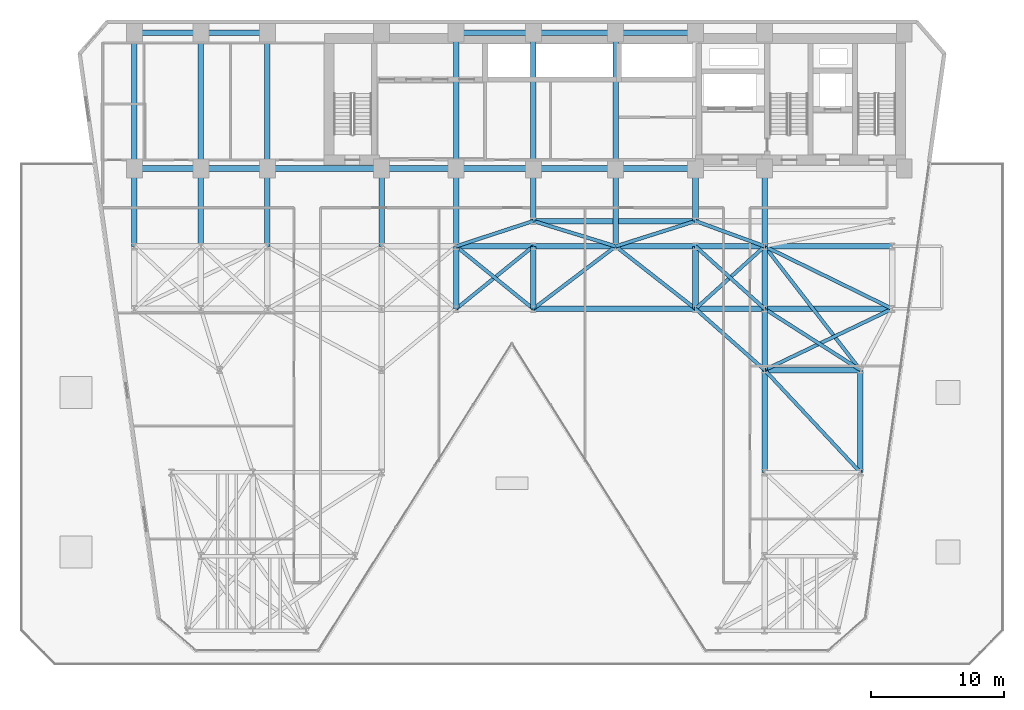
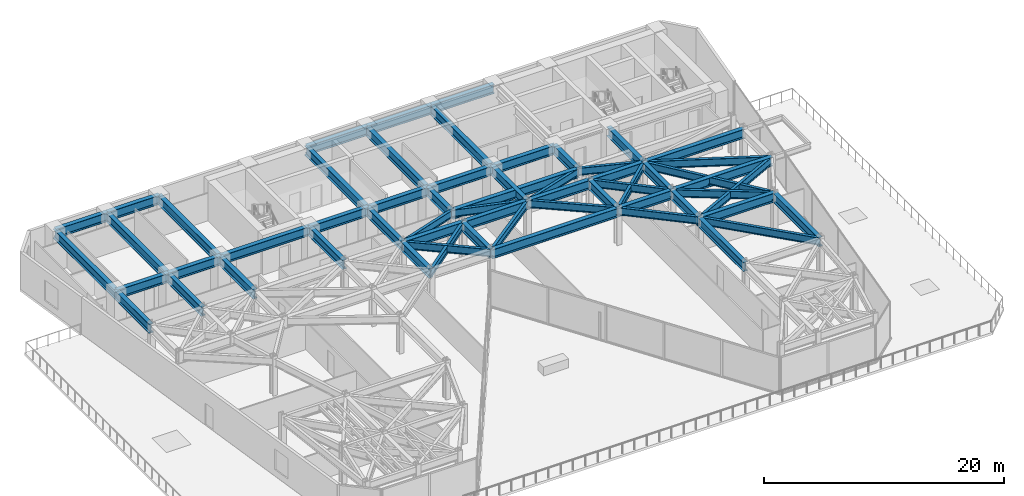
# One storey, part 12 of 25: 60 beams.
"""IFC4 building model written with IfcOpenShell, lengths in metres."""

from ifc_helpers import new_model, si_unit, direction, frame, origin, origin_2d, place, context, subcontext, project, spatial, i_section, extrude, material, material_profile, profile_set, type_object, element, save


model = new_model("IFC4")

# Units and contexts
model_context = context("Model", 3, precision=1e-05, world=origin(), true_north=direction((0.0, 1.0)))
body_context = subcontext(model_context, "Body", "Model", "MODEL_VIEW")
ifc_project = project(units=[si_unit("LENGTHUNIT", "METRE"), si_unit("AREAUNIT", "SQUARE_METRE"), si_unit("VOLUMEUNIT", "CUBIC_METRE"), si_unit("PLANEANGLEUNIT", "RADIAN"), si_unit("MASSUNIT", "GRAM", prefix="KILO")], contexts=[model_context])

# Site, building, storey
site_placement = place(None, origin())
site = spatial("IfcSite", under=ifc_project, at=site_placement, CompositionType="ELEMENT")
building_placement = place(site_placement, origin())
building = spatial("IfcBuilding", under=site, at=building_placement, Name="Kravanh Interchange Tower", CompositionType="ELEMENT")
storey_placement = place(building_placement, frame((0.0, 0.0, 29.5)))
storey = spatial("IfcBuildingStorey", under=building, at=storey_placement, Name="L06", CompositionType="ELEMENT", Elevation=29.5)

# Beams
ifc_material_1 = material(Name="Structural Steel S355", Category="steel")
ifc_material_profile_1 = material_profile(ifc_material_1, i_section(OverallWidth=0.41796875, OverallDepth=0.927001953125, WebThickness=0.019287109375, FlangeThickness=0.031982421875, FilletRadius=0.028076171875, at=origin_2d()), Name="W36X231")
ifc_profile_set_1 = profile_set([ifc_material_profile_1], Name="Structural Steel S355")
beam_type_1 = type_object("IfcBeamType", Name="Floor Beam W36X231 Structural Steel S355", PredefinedType="BEAM", material=ifc_profile_set_1)
beam_1_placement = place(storey_placement, frame((56.0, 37.35009765625, 3.276611328125), z_axis=(0.0, -1.0, 0.0), x_axis=(1.0, 0.0, 0.0)))
element("IfcBeam", 1, at=beam_1_placement, inside=storey, type_object=beam_type_1, Name="L06 Primary Floor Girder 7", PredefinedType="BEAM", context=body_context, shape_type="SweptSolid", body=[
    extrude(i_section(OverallWidth=0.41796875, OverallDepth=0.927001953125, WebThickness=0.019287109375, FlangeThickness=0.031982421875, FilletRadius=0.028076171875, at=origin_2d()), origin(), (0.0, 0.0, 1.0), 5.85009765625),
])
beam_2_placement = place(storey_placement, frame((50.800048828125, 47.550048828125, 3.276611328125), z_axis=(-1.0, 0.0, 0.0), x_axis=(0.0, -1.0, 0.0)))
element("IfcBeam", 2, at=beam_2_placement, inside=storey, type_object=beam_type_1, Name="L06 Primary Floor Girder 8", PredefinedType="BEAM", context=body_context, shape_type="SweptSolid", body=[
    extrude(i_section(OverallWidth=0.41796875, OverallDepth=0.927001953125, WebThickness=0.019287109375, FlangeThickness=0.031982421875, FilletRadius=0.028076171875, at=origin_2d()), origin(), (0.0, 0.0, 1.0), 6.0),
])
beam_3_placement = place(storey_placement, frame((50.800048828125, 37.35009765625, 3.276611328125), z_axis=(0.0, -1.0, 0.0), x_axis=(1.0, 0.0, 0.0)))
element("IfcBeam", 3, at=beam_3_placement, inside=storey, type_object=beam_type_1, Name="L06 Primary Floor Girder 10", PredefinedType="BEAM", context=body_context, shape_type="SweptSolid", body=[
    extrude(i_section(OverallWidth=0.41796875, OverallDepth=0.927001953125, WebThickness=0.019287109375, FlangeThickness=0.031982421875, FilletRadius=0.028076171875, at=origin_2d()), origin(), (0.0, 0.0, 1.0), 3.9501953125),
])
beam_4_placement = place(storey_placement, frame((50.800048828125, 37.35009765625, 3.276611328125), z_axis=(-1.0, 0.0, 0.0), x_axis=(0.0, -1.0, 0.0)))
element("IfcBeam", 4, at=beam_4_placement, inside=storey, type_object=beam_type_1, Name="L06 Primary Floor Girder 11", PredefinedType="BEAM", context=body_context, shape_type="SweptSolid", body=[
    extrude(i_section(OverallWidth=0.41796875, OverallDepth=0.927001953125, WebThickness=0.019287109375, FlangeThickness=0.031982421875, FilletRadius=0.028076171875, at=origin_2d()), origin(), (0.0, 0.0, 1.0), 6.0),
])
beam_5_placement = place(storey_placement, frame((44.800048828125, 37.35009765625, 3.276611328125), z_axis=(0.0, -1.0, 0.0), x_axis=(1.0, 0.0, 0.0)))
element("IfcBeam", 5, at=beam_5_placement, inside=storey, type_object=beam_type_1, Name="L06 Primary Floor Girder 12", PredefinedType="BEAM", context=body_context, shape_type="SweptSolid", body=[
    extrude(i_section(OverallWidth=0.41796875, OverallDepth=0.927001953125, WebThickness=0.019287109375, FlangeThickness=0.031982421875, FilletRadius=0.028076171875, at=origin_2d()), origin(), (0.0, 0.0, 1.0), 5.85009765625),
])
beam_6_placement = place(storey_placement, frame((44.800048828125, 37.35009765625, 3.276611328125), z_axis=(-1.0, 0.0, 0.0), x_axis=(0.0, -1.0, 0.0)))
element("IfcBeam", 6, at=beam_6_placement, inside=storey, type_object=beam_type_1, Name="L06 Primary Floor Girder 13", PredefinedType="BEAM", context=body_context, shape_type="SweptSolid", body=[
    extrude(i_section(OverallWidth=0.41796875, OverallDepth=0.927001953125, WebThickness=0.019287109375, FlangeThickness=0.031982421875, FilletRadius=0.028076171875, at=origin_2d()), origin(), (0.0, 0.0, 1.0), 6.199951171875),
])
beam_7_placement = place(storey_placement, frame((44.800048828125, 37.35009765625, 3.276611328125), z_axis=(0.0, 1.0, 0.0), x_axis=(-1.0, 0.0, 0.0)))
element("IfcBeam", 7, at=beam_7_placement, inside=storey, type_object=beam_type_1, Name="L06 Primary Floor Girder 14", PredefinedType="BEAM", context=body_context, shape_type="SweptSolid", body=[
    extrude(i_section(OverallWidth=0.41796875, OverallDepth=0.927001953125, WebThickness=0.019287109375, FlangeThickness=0.031982421875, FilletRadius=0.028076171875, at=origin_2d()), origin(), (0.0, 0.0, 1.0), 10.199951171875),
])
beam_8_placement = place(storey_placement, frame((44.800048828125, 47.550048828125, 3.276611328125), z_axis=(-1.0, 0.0, 0.0), x_axis=(0.0, -1.0, 0.0)))
element("IfcBeam", 8, at=beam_8_placement, inside=storey, type_object=beam_type_1, Name="L06 Primary Floor Girder 15", PredefinedType="BEAM", context=body_context, shape_type="SweptSolid", body=[
    extrude(i_section(OverallWidth=0.41796875, OverallDepth=0.927001953125, WebThickness=0.019287109375, FlangeThickness=0.031982421875, FilletRadius=0.028076171875, at=origin_2d()), origin(), (0.0, 0.0, 1.0), 6.199951171875),
])
beam_9_placement = place(storey_placement, frame((38.60009765625, 37.35009765625, 3.276611328125), z_axis=(0.0, -1.0, 0.0), x_axis=(1.0, 0.0, 0.0)))
element("IfcBeam", 9, at=beam_9_placement, inside=storey, type_object=beam_type_1, Name="L06 Primary Floor Girder 16", PredefinedType="BEAM", context=body_context, shape_type="SweptSolid", body=[
    extrude(i_section(OverallWidth=0.41796875, OverallDepth=0.927001953125, WebThickness=0.019287109375, FlangeThickness=0.031982421875, FilletRadius=0.028076171875, at=origin_2d()), origin(), (0.0, 0.0, 1.0), 3.9501953125),
])
beam_10_placement = place(storey_placement, frame((38.60009765625, 37.35009765625, 3.276611328125), z_axis=(-1.0, 0.0, 0.0), x_axis=(0.0, -1.0, 0.0)))
element("IfcBeam", 10, at=beam_10_placement, inside=storey, type_object=beam_type_1, Name="L06 Primary Floor Girder 17", PredefinedType="BEAM", context=body_context, shape_type="SweptSolid", body=[
    extrude(i_section(OverallWidth=0.41796875, OverallDepth=0.927001953125, WebThickness=0.019287109375, FlangeThickness=0.031982421875, FilletRadius=0.028076171875, at=origin_2d()), origin(), (0.0, 0.0, 1.0), 5.800048828125),
])
beam_11_placement = place(storey_placement, frame((38.60009765625, 37.35009765625, 3.276611328125), z_axis=(0.0, 1.0, 0.0), x_axis=(-1.0, 0.0, 0.0)))
element("IfcBeam", 11, at=beam_11_placement, inside=storey, type_object=beam_type_1, Name="L06 Primary Floor Girder 18", PredefinedType="BEAM", context=body_context, shape_type="SweptSolid", body=[
    extrude(i_section(OverallWidth=0.41796875, OverallDepth=0.927001953125, WebThickness=0.019287109375, FlangeThickness=0.031982421875, FilletRadius=0.028076171875, at=origin_2d()), origin(), (0.0, 0.0, 1.0), 10.199951171875),
])
beam_12_placement = place(storey_placement, frame((38.60009765625, 47.550048828125, 3.276611328125), z_axis=(-1.0, 0.0, 0.0), x_axis=(0.0, -1.0, 0.0)))
element("IfcBeam", 12, at=beam_12_placement, inside=storey, type_object=beam_type_1, Name="L06 Primary Floor Girder 19", PredefinedType="BEAM", context=body_context, shape_type="SweptSolid", body=[
    extrude(i_section(OverallWidth=0.41796875, OverallDepth=0.927001953125, WebThickness=0.019287109375, FlangeThickness=0.031982421875, FilletRadius=0.028076171875, at=origin_2d()), origin(), (0.0, 0.0, 1.0), 5.800048828125),
])
beam_13_placement = place(storey_placement, frame((32.800048828125, 37.35009765625, 3.276611328125), z_axis=(-1.0, 0.0, 0.0), x_axis=(0.0, -1.0, 0.0)))
element("IfcBeam", 13, at=beam_13_placement, inside=storey, type_object=beam_type_1, Name="L06 Primary Floor Girder 20", PredefinedType="BEAM", context=body_context, shape_type="SweptSolid", body=[
    extrude(i_section(OverallWidth=0.41796875, OverallDepth=0.927001953125, WebThickness=0.019287109375, FlangeThickness=0.031982421875, FilletRadius=0.028076171875, at=origin_2d()), origin(), (0.0, 0.0, 1.0), 5.60009765625),
])
beam_14_placement = place(storey_placement, frame((32.800048828125, 37.35009765625, 3.276611328125), z_axis=(0.0, -1.0, 0.0), x_axis=(1.0, 0.0, 0.0)))
element("IfcBeam", 14, at=beam_14_placement, inside=storey, type_object=beam_type_1, Name="L06 Primary Floor Girder 21", PredefinedType="BEAM", context=body_context, shape_type="SweptSolid", body=[
    extrude(i_section(OverallWidth=0.41796875, OverallDepth=0.927001953125, WebThickness=0.019287109375, FlangeThickness=0.031982421875, FilletRadius=0.028076171875, at=origin_2d()), origin(), (0.0, 0.0, 1.0), 5.85009765625),
])
beam_15_placement = place(storey_placement, frame((32.800048828125, 37.35009765625, 3.276611328125), z_axis=(0.0, 1.0, 0.0), x_axis=(-1.0, 0.0, 0.0)))
element("IfcBeam", 15, at=beam_15_placement, inside=storey, type_object=beam_type_1, Name="L06 Primary Floor Girder 22", PredefinedType="BEAM", context=body_context, shape_type="SweptSolid", body=[
    extrude(i_section(OverallWidth=0.41796875, OverallDepth=0.927001953125, WebThickness=0.019287109375, FlangeThickness=0.031982421875, FilletRadius=0.028076171875, at=origin_2d()), origin(), (0.0, 0.0, 1.0), 10.199951171875),
])
beam_16_placement = place(storey_placement, frame((27.199951171875, 37.35009765625, 3.276611328125), z_axis=(0.0, -1.0, 0.0), x_axis=(1.0, 0.0, 0.0)))
element("IfcBeam", 16, at=beam_16_placement, inside=storey, type_object=beam_type_1, Name="L06 Primary Floor Girder 24", PredefinedType="BEAM", context=body_context, shape_type="SweptSolid", body=[
    extrude(i_section(OverallWidth=0.41796875, OverallDepth=0.927001953125, WebThickness=0.019287109375, FlangeThickness=0.031982421875, FilletRadius=0.028076171875, at=origin_2d()), origin(), (0.0, 0.0, 1.0), 5.85009765625),
])
beam_17_placement = place(storey_placement, frame((27.199951171875, 37.35009765625, 3.276611328125), z_axis=(-1.0, 0.0, 0.0), x_axis=(0.0, -1.0, 0.0)))
element("IfcBeam", 17, at=beam_17_placement, inside=storey, type_object=beam_type_1, Name="L06 Primary Floor Girder 25", PredefinedType="BEAM", context=body_context, shape_type="SweptSolid", body=[
    extrude(i_section(OverallWidth=0.41796875, OverallDepth=0.927001953125, WebThickness=0.019287109375, FlangeThickness=0.031982421875, FilletRadius=0.028076171875, at=origin_2d()), origin(), (0.0, 0.0, 1.0), 8.599853515625),
])
beam_18_placement = place(storey_placement, frame((18.60009765625, 37.35009765625, 3.276611328125), z_axis=(-1.0, 0.0, 0.0), x_axis=(0.0, -1.0, 0.0)))
element("IfcBeam", 18, at=beam_18_placement, inside=storey, type_object=beam_type_1, Name="L06 Primary Floor Girder 28", PredefinedType="BEAM", context=body_context, shape_type="SweptSolid", body=[
    extrude(i_section(OverallWidth=0.41796875, OverallDepth=0.927001953125, WebThickness=0.019287109375, FlangeThickness=0.031982421875, FilletRadius=0.028076171875, at=origin_2d()), origin(), (0.0, 0.0, 1.0), 5.0),
])
beam_19_placement = place(storey_placement, frame((18.60009765625, 37.35009765625, 3.276611328125), z_axis=(0.0, -1.0, 0.0), x_axis=(1.0, 0.0, 0.0)))
element("IfcBeam", 19, at=beam_19_placement, inside=storey, type_object=beam_type_1, Name="L06 Primary Floor Girder 29", PredefinedType="BEAM", context=body_context, shape_type="SweptSolid", body=[
    extrude(i_section(OverallWidth=0.41796875, OverallDepth=0.927001953125, WebThickness=0.019287109375, FlangeThickness=0.031982421875, FilletRadius=0.028076171875, at=origin_2d()), origin(), (0.0, 0.0, 1.0), 5.85009765625),
])
beam_20_placement = place(storey_placement, frame((18.60009765625, 37.35009765625, 3.276611328125), z_axis=(0.0, 1.0, 0.0), x_axis=(-1.0, 0.0, 0.0)))
element("IfcBeam", 20, at=beam_20_placement, inside=storey, type_object=beam_type_1, Name="L06 Primary Floor Girder 30", PredefinedType="BEAM", context=body_context, shape_type="SweptSolid", body=[
    extrude(i_section(OverallWidth=0.41796875, OverallDepth=0.927001953125, WebThickness=0.019287109375, FlangeThickness=0.031982421875, FilletRadius=0.028076171875, at=origin_2d()), origin(), (0.0, 0.0, 1.0), 10.199951171875),
])
for number, where, z_axis, x_axis, name in (
    (21, (18.60009765625, 47.550048828125, 3.276611328125), (-1.0, 0.0, 0.0), (0.0, -1.0, 0.0), "L06 Primary Floor Girder 31"),
    (22, (13.60009765625, 37.35009765625, 3.276611328125), (-1.0, 0.0, 0.0), (0.0, -1.0, 0.0), "L06 Primary Floor Girder 32"),
):
    element("IfcBeam", number, at=place(storey_placement, frame(where, z_axis=z_axis, x_axis=x_axis)), inside=storey, type_object=beam_type_1, Name=name, PredefinedType="BEAM", context=body_context, shape_type="SweptSolid", body=[
        extrude(i_section(OverallWidth=0.41796875, OverallDepth=0.927001953125, WebThickness=0.019287109375, FlangeThickness=0.031982421875, FilletRadius=0.028076171875, at=origin_2d()), origin(), (0.0, 0.0, 1.0), 5.0),
    ])
beam_21_placement = place(storey_placement, frame((13.60009765625, 37.35009765625, 3.276611328125), z_axis=(0.0, -1.0, 0.0), x_axis=(1.0, 0.0, 0.0)))
element("IfcBeam", 23, at=beam_21_placement, inside=storey, type_object=beam_type_1, Name="L06 Primary Floor Girder 33", PredefinedType="BEAM", context=body_context, shape_type="SweptSolid", body=[
    extrude(i_section(OverallWidth=0.41796875, OverallDepth=0.927001953125, WebThickness=0.019287109375, FlangeThickness=0.031982421875, FilletRadius=0.028076171875, at=origin_2d()), origin(), (0.0, 0.0, 1.0), 5.85009765625),
])
beam_22_placement = place(storey_placement, frame((13.60009765625, 37.35009765625, 3.276611328125), z_axis=(0.0, 1.0, 0.0), x_axis=(-1.0, 0.0, 0.0)))
element("IfcBeam", 24, at=beam_22_placement, inside=storey, type_object=beam_type_1, Name="L06 Primary Floor Girder 34", PredefinedType="BEAM", context=body_context, shape_type="SweptSolid", body=[
    extrude(i_section(OverallWidth=0.41796875, OverallDepth=0.927001953125, WebThickness=0.019287109375, FlangeThickness=0.031982421875, FilletRadius=0.028076171875, at=origin_2d()), origin(), (0.0, 0.0, 1.0), 10.199951171875),
])
beam_23_placement = place(storey_placement, frame((13.60009765625, 47.550048828125, 3.276611328125), z_axis=(-1.0, 0.0, 0.0), x_axis=(0.0, -1.0, 0.0)))
element("IfcBeam", 25, at=beam_23_placement, inside=storey, type_object=beam_type_1, Name="L06 Primary Floor Girder 35", PredefinedType="BEAM", context=body_context, shape_type="SweptSolid", body=[
    extrude(i_section(OverallWidth=0.41796875, OverallDepth=0.927001953125, WebThickness=0.019287109375, FlangeThickness=0.031982421875, FilletRadius=0.028076171875, at=origin_2d()), origin(), (0.0, 0.0, 1.0), 5.0),
])
beam_24_placement = place(storey_placement, frame((8.60009765625, 37.35009765625, 3.276611328125), z_axis=(0.0, -1.0, 0.0), x_axis=(1.0, 0.0, 0.0)))
element("IfcBeam", 26, at=beam_24_placement, inside=storey, type_object=beam_type_1, Name="L06 Primary Floor Girder 36", PredefinedType="BEAM", context=body_context, shape_type="SweptSolid", body=[
    extrude(i_section(OverallWidth=0.41796875, OverallDepth=0.927001953125, WebThickness=0.019287109375, FlangeThickness=0.031982421875, FilletRadius=0.028076171875, at=origin_2d()), origin(), (0.0, 0.0, 1.0), 5.85009765625),
])
beam_25_placement = place(storey_placement, frame((8.60009765625, 37.35009765625, 3.276611328125), z_axis=(0.0, 1.0, 0.0), x_axis=(-1.0, 0.0, 0.0)))
element("IfcBeam", 27, at=beam_25_placement, inside=storey, type_object=beam_type_1, Name="L06 Primary Floor Girder 37", PredefinedType="BEAM", context=body_context, shape_type="SweptSolid", body=[
    extrude(i_section(OverallWidth=0.41796875, OverallDepth=0.927001953125, WebThickness=0.019287109375, FlangeThickness=0.031982421875, FilletRadius=0.028076171875, at=origin_2d()), origin(), (0.0, 0.0, 1.0), 10.199951171875),
])
for number, where, z_axis, x_axis, name in (
    (28, (56.0, 14.5, 3.276611328125), (0.0, 1.0, 0.0), (-1.0, 0.0, 0.0), "L06 Primary Floor Girder 44"),
    (29, (63.199951171875, 14.5, 3.276611328125), (0.0, 1.0, 0.0), (-1.0, 0.0, 0.0), "L06 Primary Floor Girder 47"),
):
    element("IfcBeam", number, at=place(storey_placement, frame(where, z_axis=z_axis, x_axis=x_axis)), inside=storey, type_object=beam_type_1, Name=name, PredefinedType="BEAM", context=body_context, shape_type="SweptSolid", body=[
        extrude(i_section(OverallWidth=0.41796875, OverallDepth=0.927001953125, WebThickness=0.019287109375, FlangeThickness=0.031982421875, FilletRadius=0.028076171875, at=origin_2d()), origin(), (0.0, 0.0, 1.0), 7.699951171875),
    ])
beam_26_placement = place(storey_placement, frame((56.0, 22.199951171875, 3.276611328125), z_axis=(0.0, 1.0, 0.0), x_axis=(-1.0, 0.0, 0.0)))
element("IfcBeam", 30, at=beam_26_placement, inside=storey, type_object=beam_type_1, Name="L06 Primary Floor Girder 58", PredefinedType="BEAM", context=body_context, shape_type="SweptSolid", body=[
    extrude(i_section(OverallWidth=0.41796875, OverallDepth=0.927001953125, WebThickness=0.019287109375, FlangeThickness=0.031982421875, FilletRadius=0.028076171875, at=origin_2d()), origin(), (0.0, 0.0, 1.0), 4.60009765625),
])
beam_27_placement = place(storey_placement, frame((56.0, 22.199951171875, 3.276611328125), z_axis=(1.0, 0.0, 0.0), x_axis=(0.0, 1.0, 0.0)))
element("IfcBeam", 31, at=beam_27_placement, inside=storey, type_object=beam_type_1, Name="L06 Primary Floor Girder 60", PredefinedType="BEAM", context=body_context, shape_type="SweptSolid", body=[
    extrude(i_section(OverallWidth=0.41796875, OverallDepth=0.927001953125, WebThickness=0.019287109375, FlangeThickness=0.031982421875, FilletRadius=0.028076171875, at=origin_2d()), origin(), (0.0, 0.0, 1.0), 7.199951171875),
])
for number, where, z_axis, x_axis, name in (
    (32, (32.800048828125, 26.800048828125, 3.276611328125), (0.0, 1.0, 0.0), (-1.0, 0.0, 0.0), "L06 Primary Floor Girder 82"),
    (33, (38.60009765625, 26.800048828125, 3.276611328125), (0.0, 1.0, 0.0), (-1.0, 0.0, 0.0), "L06 Primary Floor Girder 86"),
):
    element("IfcBeam", number, at=place(storey_placement, frame(where, z_axis=z_axis, x_axis=x_axis)), inside=storey, type_object=beam_type_1, Name=name, PredefinedType="BEAM", context=body_context, shape_type="SweptSolid", body=[
        extrude(i_section(OverallWidth=0.41796875, OverallDepth=0.927001953125, WebThickness=0.019287109375, FlangeThickness=0.031982421875, FilletRadius=0.028076171875, at=origin_2d()), origin(), (0.0, 0.0, 1.0), 4.699951171875),
    ])
beam_28_placement = place(storey_placement, frame((38.60009765625, 26.800048828125, 3.276611328125), z_axis=(1.0, 0.0, 0.0), x_axis=(0.0, 1.0, 0.0)))
element("IfcBeam", 34, at=beam_28_placement, inside=storey, type_object=beam_type_1, Name="L06 Primary Floor Girder 89", PredefinedType="BEAM", context=body_context, shape_type="SweptSolid", body=[
    extrude(i_section(OverallWidth=0.41796875, OverallDepth=0.927001953125, WebThickness=0.019287109375, FlangeThickness=0.031982421875, FilletRadius=0.028076171875, at=origin_2d()), origin(), (0.0, 0.0, 1.0), 12.199951171875),
])
beam_29_placement = place(storey_placement, frame((50.800048828125, 26.800048828125, 3.276611328125), z_axis=(0.0, 1.0, 0.0), x_axis=(-1.0, 0.0, 0.0)))
element("IfcBeam", 35, at=beam_29_placement, inside=storey, type_object=beam_type_1, Name="L06 Primary Floor Girder 90", PredefinedType="BEAM", context=body_context, shape_type="SweptSolid", body=[
    extrude(i_section(OverallWidth=0.41796875, OverallDepth=0.927001953125, WebThickness=0.019287109375, FlangeThickness=0.031982421875, FilletRadius=0.028076171875, at=origin_2d()), origin(), (0.0, 0.0, 1.0), 4.699951171875),
])
beam_30_placement = place(storey_placement, frame((50.800048828125, 26.800048828125, 3.276611328125), z_axis=(1.0, 0.0, 0.0), x_axis=(0.0, 1.0, 0.0)))
element("IfcBeam", 36, at=beam_30_placement, inside=storey, type_object=beam_type_1, Name="L06 Primary Floor Girder 91", PredefinedType="BEAM", context=body_context, shape_type="SweptSolid", body=[
    extrude(i_section(OverallWidth=0.41796875, OverallDepth=0.927001953125, WebThickness=0.019287109375, FlangeThickness=0.031982421875, FilletRadius=0.028076171875, at=origin_2d()), origin(), (0.0, 0.0, 1.0), 5.199951171875),
])
beam_31_placement = place(storey_placement, frame((56.0, 26.800048828125, 3.276611328125), z_axis=(0.0, 1.0, 0.0), x_axis=(-1.0, 0.0, 0.0)))
element("IfcBeam", 37, at=beam_31_placement, inside=storey, type_object=beam_type_1, Name="L06 Primary Floor Girder 94", PredefinedType="BEAM", context=body_context, shape_type="SweptSolid", body=[
    extrude(i_section(OverallWidth=0.41796875, OverallDepth=0.927001953125, WebThickness=0.019287109375, FlangeThickness=0.031982421875, FilletRadius=0.028076171875, at=origin_2d()), origin(), (0.0, 0.0, 1.0), 4.699951171875),
])
beam_32_placement = place(storey_placement, frame((56.0, 26.800048828125, 3.276611328125), z_axis=(1.0, 0.0, 0.0), x_axis=(0.0, 1.0, 0.0)))
element("IfcBeam", 38, at=beam_32_placement, inside=storey, type_object=beam_type_1, Name="L06 Primary Floor Girder 97", PredefinedType="BEAM", context=body_context, shape_type="SweptSolid", body=[
    extrude(i_section(OverallWidth=0.41796875, OverallDepth=0.927001953125, WebThickness=0.019287109375, FlangeThickness=0.031982421875, FilletRadius=0.028076171875, at=origin_2d()), origin(), (0.0, 0.0, 1.0), 9.60009765625),
])
beam_33_placement = place(storey_placement, frame((32.800048828125, 31.5, 3.276611328125), z_axis=(1.0, 0.0, 0.0), x_axis=(0.0, 1.0, 0.0)))
element("IfcBeam", 39, at=beam_33_placement, inside=storey, type_object=beam_type_1, Name="L06 Primary Floor Girder 109", PredefinedType="BEAM", context=body_context, shape_type="SweptSolid", body=[
    extrude(i_section(OverallWidth=0.41796875, OverallDepth=0.927001953125, WebThickness=0.019287109375, FlangeThickness=0.031982421875, FilletRadius=0.028076171875, at=origin_2d()), origin(), (0.0, 0.0, 1.0), 5.800048828125),
])
beam_34_placement = place(storey_placement, frame((38.60009765625, 31.5, 3.276611328125), z_axis=(1.0, 0.0, 0.0), x_axis=(0.0, 1.0, 0.0)))
element("IfcBeam", 40, at=beam_34_placement, inside=storey, type_object=beam_type_1, Name="L06 Primary Floor Girder 111", PredefinedType="BEAM", context=body_context, shape_type="SweptSolid", body=[
    extrude(i_section(OverallWidth=0.41796875, OverallDepth=0.927001953125, WebThickness=0.019287109375, FlangeThickness=0.031982421875, FilletRadius=0.028076171875, at=origin_2d()), origin(), (0.0, 0.0, 1.0), 6.199951171875),
])
beam_35_placement = place(storey_placement, frame((44.800048828125, 31.5, 3.276611328125), z_axis=(1.0, 0.0, 0.0), x_axis=(0.0, 1.0, 0.0)))
element("IfcBeam", 41, at=beam_35_placement, inside=storey, type_object=beam_type_1, Name="L06 Primary Floor Girder 113", PredefinedType="BEAM", context=body_context, shape_type="SweptSolid", body=[
    extrude(i_section(OverallWidth=0.41796875, OverallDepth=0.927001953125, WebThickness=0.019287109375, FlangeThickness=0.031982421875, FilletRadius=0.028076171875, at=origin_2d()), origin(), (0.0, 0.0, 1.0), 6.0),
])
beam_36_placement = place(storey_placement, frame((50.800048828125, 31.5, 3.276611328125), z_axis=(1.0, 0.0, 0.0), x_axis=(0.0, 1.0, 0.0)))
element("IfcBeam", 42, at=beam_36_placement, inside=storey, type_object=beam_type_1, Name="L06 Primary Floor Girder 116", PredefinedType="BEAM", context=body_context, shape_type="SweptSolid", body=[
    extrude(i_section(OverallWidth=0.41796875, OverallDepth=0.927001953125, WebThickness=0.019287109375, FlangeThickness=0.031982421875, FilletRadius=0.028076171875, at=origin_2d()), origin(), (0.0, 0.0, 1.0), 5.199951171875),
])
beam_37_placement = place(storey_placement, frame((56.0, 31.5, 3.276611328125), z_axis=(1.0, 0.0, 0.0), x_axis=(0.0, 1.0, 0.0)))
element("IfcBeam", 43, at=beam_37_placement, inside=storey, type_object=beam_type_1, Name="L06 Primary Floor Girder 119", PredefinedType="BEAM", context=body_context, shape_type="SweptSolid", body=[
    extrude(i_section(OverallWidth=0.41796875, OverallDepth=0.927001953125, WebThickness=0.019287109375, FlangeThickness=0.031982421875, FilletRadius=0.028076171875, at=origin_2d()), origin(), (0.0, 0.0, 1.0), 9.60009765625),
])
beam_38_placement = place(storey_placement, frame((38.60009765625, 33.39990234375, 3.276611328125), z_axis=(1.0, 0.0, 0.0), x_axis=(0.0, 1.0, 0.0)))
element("IfcBeam", 44, at=beam_38_placement, inside=storey, type_object=beam_type_1, Name="L06 Primary Floor Girder 145", PredefinedType="BEAM", context=body_context, shape_type="SweptSolid", body=[
    extrude(i_section(OverallWidth=0.41796875, OverallDepth=0.927001953125, WebThickness=0.019287109375, FlangeThickness=0.031982421875, FilletRadius=0.028076171875, at=origin_2d()), origin(), (0.0, 0.0, 1.0), 12.199951171875),
])
ifc_material_2 = material(Name="Structural Steel S355", Category="steel")
ifc_material_profile_2 = material_profile(ifc_material_2, i_section(OverallWidth=0.26708984375, OverallDepth=0.761962890625, WebThickness=0.014404296875, FlangeThickness=0.021484375, FilletRadius=0.02490234375, at=origin_2d()), Name="W30X116")
ifc_profile_set_2 = profile_set([ifc_material_profile_2], Name="Structural Steel S355")
beam_type_2 = type_object("IfcBeamType", Name="Floor Spandrel W30X116 Structural Steel S355", PredefinedType="SPANDREL", material=ifc_profile_set_2)
beam_39_placement = place(storey_placement, frame((63.199951171875, 14.5, 3.35888671875), z_axis=(-0.682993762113, 0.73042420614, 0.0), x_axis=(-0.73042420614, -0.682993762113, 0.0)))
element("IfcBeam", 45, at=beam_39_placement, inside=storey, type_object=beam_type_2, Name="L06 Perimeter Spandrel 49", PredefinedType="SPANDREL", context=body_context, shape_type="SweptSolid", body=[
    extrude(i_section(OverallWidth=0.26708984375, OverallDepth=0.761962890625, WebThickness=0.014404296875, FlangeThickness=0.021484375, FilletRadius=0.02490234375, at=origin_2d()), origin(), (0.0, 0.0, 1.0), 10.541748046875),
])
beam_40_placement = place(storey_placement, frame((56.0, 22.199951171875, 3.35888671875), z_axis=(-0.74898649432, 0.662585263439, 0.0), x_axis=(-0.662585263439, -0.74898649432, 0.0)))
element("IfcBeam", 46, at=beam_40_placement, inside=storey, type_object=beam_type_2, Name="L06 Perimeter Spandrel 59", PredefinedType="SPANDREL", context=body_context, shape_type="SweptSolid", body=[
    extrude(i_section(OverallWidth=0.26708984375, OverallDepth=0.761962890625, WebThickness=0.014404296875, FlangeThickness=0.021484375, FilletRadius=0.02490234375, at=origin_2d()), origin(), (0.0, 0.0, 1.0), 6.942626953125),
])
beam_41_placement = place(storey_placement, frame((56.0, 22.199951171875, 3.35888671875), z_axis=(0.901814166789, 0.432124066188, 0.0), x_axis=(-0.432124066188, 0.901814166789, 0.0)))
element("IfcBeam", 47, at=beam_41_placement, inside=storey, type_object=beam_type_2, Name="L06 Perimeter Spandrel 61", PredefinedType="SPANDREL", context=body_context, shape_type="SweptSolid", body=[
    extrude(i_section(OverallWidth=0.26708984375, OverallDepth=0.761962890625, WebThickness=0.014404296875, FlangeThickness=0.021484375, FilletRadius=0.02490234375, at=origin_2d()), origin(), (0.0, 0.0, 1.0), 10.645263671875),
])
beam_42_placement = place(storey_placement, frame((63.199951171875, 22.199951171875, 3.35888671875), z_axis=(-0.842689417531, 0.53839998661, 0.0), x_axis=(-0.53839998661, -0.842689417531, 0.0)))
element("IfcBeam", 48, at=beam_42_placement, inside=storey, type_object=beam_type_2, Name="L06 Perimeter Spandrel 63", PredefinedType="SPANDREL", context=body_context, shape_type="SweptSolid", body=[
    extrude(i_section(OverallWidth=0.26708984375, OverallDepth=0.761962890625, WebThickness=0.014404296875, FlangeThickness=0.021484375, FilletRadius=0.02490234375, at=origin_2d()), origin(), (0.0, 0.0, 1.0), 8.5439453125),
])
beam_43_placement = place(storey_placement, frame((63.199951171875, 22.199951171875, 3.35888671875), z_axis=(-0.612168587637, 0.790727273028, 0.0), x_axis=(-0.790727273028, -0.612168587637, 0.0)))
element("IfcBeam", 49, at=beam_43_placement, inside=storey, type_object=beam_type_2, Name="L06 Perimeter Spandrel 65", PredefinedType="SPANDREL", context=body_context, shape_type="SweptSolid", body=[
    extrude(i_section(OverallWidth=0.26708984375, OverallDepth=0.761962890625, WebThickness=0.014404296875, FlangeThickness=0.021484375, FilletRadius=0.02490234375, at=origin_2d()), origin(), (0.0, 0.0, 1.0), 11.761474609375),
])
for number, where, z_axis, x_axis, name in (
    (50, (32.800048828125, 26.800048828125, 3.35888671875), (0.776938619557, 0.629576350764, 0.0), (-0.629576350764, 0.776938619557, 0.0), "L06 Perimeter Spandrel 85"),
    (51, (38.60009765625, 26.800048828125, 3.35888671875), (-0.776938619557, 0.629576350764, 0.0), (-0.629576350764, -0.776938619557, 0.0), "L06 Perimeter Spandrel 87"),
):
    element("IfcBeam", number, at=place(storey_placement, frame(where, z_axis=z_axis, x_axis=x_axis)), inside=storey, type_object=beam_type_2, Name=name, PredefinedType="SPANDREL", context=body_context, shape_type="SweptSolid", body=[
        extrude(i_section(OverallWidth=0.26708984375, OverallDepth=0.761962890625, WebThickness=0.014404296875, FlangeThickness=0.021484375, FilletRadius=0.02490234375, at=origin_2d()), origin(), (0.0, 0.0, 1.0), 7.46533203125),
    ])
beam_44_placement = place(storey_placement, frame((38.60009765625, 26.800048828125, 3.35888671875), z_axis=(0.796905365509, 0.604104161898, 0.0), x_axis=(-0.604104161898, 0.796905365509, 0.0)))
element("IfcBeam", 52, at=beam_44_placement, inside=storey, type_object=beam_type_2, Name="L06 Perimeter Spandrel 88", PredefinedType="SPANDREL", context=body_context, shape_type="SweptSolid", body=[
    extrude(i_section(OverallWidth=0.26708984375, OverallDepth=0.761962890625, WebThickness=0.014404296875, FlangeThickness=0.021484375, FilletRadius=0.02490234375, at=origin_2d()), origin(), (0.0, 0.0, 1.0), 7.780029296875),
])
beam_45_placement = place(storey_placement, frame((50.800048828125, 26.800048828125, 3.35888671875), z_axis=(0.741874009795, 0.670539300557, 0.0), x_axis=(-0.670539300557, 0.741874009795, 0.0)))
element("IfcBeam", 53, at=beam_45_placement, inside=storey, type_object=beam_type_2, Name="L06 Perimeter Spandrel 92", PredefinedType="SPANDREL", context=body_context, shape_type="SweptSolid", body=[
    extrude(i_section(OverallWidth=0.26708984375, OverallDepth=0.761962890625, WebThickness=0.014404296875, FlangeThickness=0.021484375, FilletRadius=0.02490234375, at=origin_2d()), origin(), (0.0, 0.0, 1.0), 7.00927734375),
])
beam_46_placement = place(storey_placement, frame((50.800048828125, 26.800048828125, 3.35888671875), z_axis=(-0.787231163579, 0.616658004967, 0.0), x_axis=(-0.616658004967, -0.787231163579, 0.0)))
element("IfcBeam", 54, at=beam_46_placement, inside=storey, type_object=beam_type_2, Name="L06 Perimeter Spandrel 93", PredefinedType="SPANDREL", context=body_context, shape_type="SweptSolid", body=[
    extrude(i_section(OverallWidth=0.26708984375, OverallDepth=0.761962890625, WebThickness=0.014404296875, FlangeThickness=0.021484375, FilletRadius=0.02490234375, at=origin_2d()), origin(), (0.0, 0.0, 1.0), 7.62158203125),
])
beam_47_placement = place(storey_placement, frame((56.0, 26.800048828125, 3.35888671875), z_axis=(-0.741874009795, 0.670539300557, 0.0), x_axis=(-0.670539300557, -0.741874009795, 0.0)))
element("IfcBeam", 55, at=beam_47_placement, inside=storey, type_object=beam_type_2, Name="L06 Perimeter Spandrel 95", PredefinedType="SPANDREL", context=body_context, shape_type="SweptSolid", body=[
    extrude(i_section(OverallWidth=0.26708984375, OverallDepth=0.761962890625, WebThickness=0.014404296875, FlangeThickness=0.021484375, FilletRadius=0.02490234375, at=origin_2d()), origin(), (0.0, 0.0, 1.0), 7.00927734375),
])
beam_48_placement = place(storey_placement, frame((65.60009765625, 26.800048828125, 3.35888671875), z_axis=(-0.898141688387, 0.439706160499, 0.0), x_axis=(-0.439706160499, -0.898141688387, 0.0)))
element("IfcBeam", 56, at=beam_48_placement, inside=storey, type_object=beam_type_2, Name="L06 Perimeter Spandrel 99", PredefinedType="SPANDREL", context=body_context, shape_type="SweptSolid", body=[
    extrude(i_section(OverallWidth=0.26708984375, OverallDepth=0.761962890625, WebThickness=0.014404296875, FlangeThickness=0.021484375, FilletRadius=0.02490234375, at=origin_2d()), origin(), (0.0, 0.0, 1.0), 10.68896484375),
])
beam_49_placement = place(storey_placement, frame((32.800048828125, 31.5, 3.35888671875), z_axis=(0.950314536578, 0.31129131303, 0.0), x_axis=(-0.31129131303, 0.950314536578, 0.0)))
element("IfcBeam", 57, at=beam_49_placement, inside=storey, type_object=beam_type_2, Name="L06 Perimeter Spandrel 110", PredefinedType="SPANDREL", context=body_context, shape_type="SweptSolid", body=[
    extrude(i_section(OverallWidth=0.26708984375, OverallDepth=0.761962890625, WebThickness=0.014404296875, FlangeThickness=0.021484375, FilletRadius=0.02490234375, at=origin_2d()), origin(), (0.0, 0.0, 1.0), 6.103271484375),
])
beam_50_placement = place(storey_placement, frame((44.800048828125, 31.5, 3.35888671875), z_axis=(0.953346691051, 0.301877602122, 0.0), x_axis=(-0.301877602122, 0.953346691051, 0.0)))
element("IfcBeam", 58, at=beam_50_placement, inside=storey, type_object=beam_type_2, Name="L06 Perimeter Spandrel 114", PredefinedType="SPANDREL", context=body_context, shape_type="SweptSolid", body=[
    extrude(i_section(OverallWidth=0.26708984375, OverallDepth=0.761962890625, WebThickness=0.014404296875, FlangeThickness=0.021484375, FilletRadius=0.02490234375, at=origin_2d()), origin(), (0.0, 0.0, 1.0), 6.293701171875),
])
beam_51_placement = place(storey_placement, frame((44.800048828125, 31.5, 3.35888671875), z_axis=(-0.956115397264, 0.292990353279, 0.0), x_axis=(-0.292990353279, -0.956115397264, 0.0)))
element("IfcBeam", 59, at=beam_51_placement, inside=storey, type_object=beam_type_2, Name="L06 Perimeter Spandrel 115", PredefinedType="SPANDREL", context=body_context, shape_type="SweptSolid", body=[
    extrude(i_section(OverallWidth=0.26708984375, OverallDepth=0.761962890625, WebThickness=0.014404296875, FlangeThickness=0.021484375, FilletRadius=0.02490234375, at=origin_2d()), origin(), (0.0, 0.0, 1.0), 6.484619140625),
])
beam_52_placement = place(storey_placement, frame((56.0, 31.5, 3.35888671875), z_axis=(-0.93926957103, 0.343180233896, 0.0), x_axis=(-0.343180233896, -0.93926957103, 0.0)))
element("IfcBeam", 60, at=beam_52_placement, inside=storey, type_object=beam_type_2, Name="L06 Perimeter Spandrel 118", PredefinedType="SPANDREL", context=body_context, shape_type="SweptSolid", body=[
    extrude(i_section(OverallWidth=0.26708984375, OverallDepth=0.761962890625, WebThickness=0.014404296875, FlangeThickness=0.021484375, FilletRadius=0.02490234375, at=origin_2d()), origin(), (0.0, 0.0, 1.0), 5.5361328125),
])

save(model, "model.ifc")
